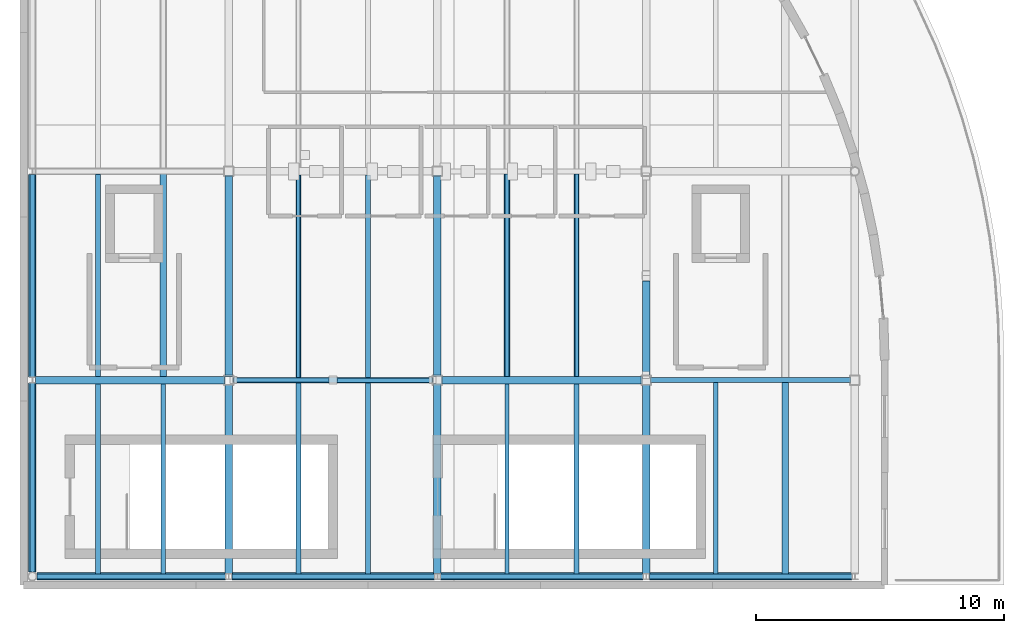
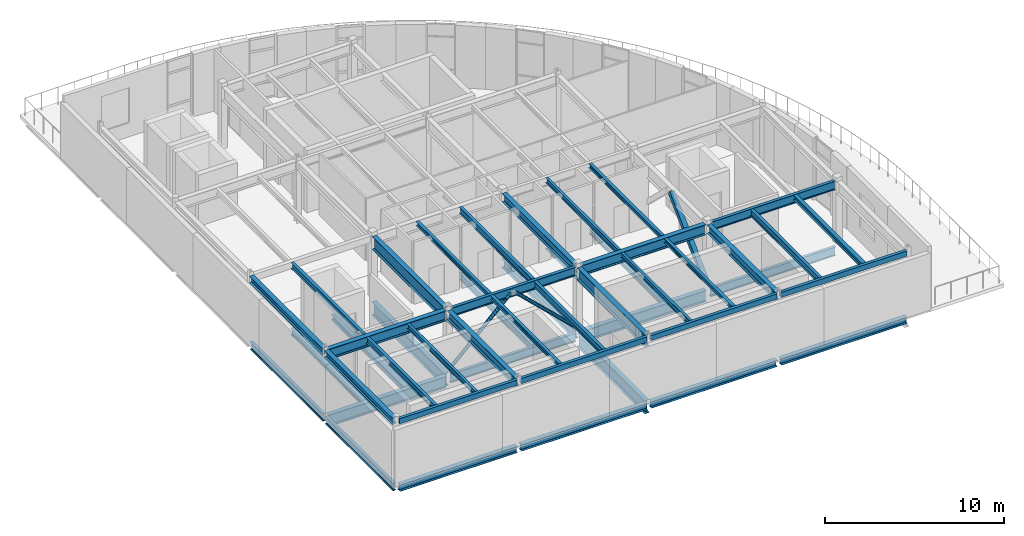
# One storey, part 5 of 26: 47 beams, 3 members.
"""IFC4 building model written with IfcOpenShell, lengths in metres."""

from ifc_helpers import new_model, si_unit, direction, frame, origin, origin_2d, place, context, subcontext, project, spatial, hollow_rectangle, hollow_circle, i_section, extrude, material, material_profile, profile_set, type_object, element, save


model = new_model("IFC4")

# Units and contexts
model_context = context("Model", 3, precision=1e-05, world=origin(), true_north=direction((0.0, 1.0)))
body_context = subcontext(model_context, "Body", "Model", "MODEL_VIEW")
ifc_project = project(units=[si_unit("LENGTHUNIT", "METRE"), si_unit("AREAUNIT", "SQUARE_METRE"), si_unit("VOLUMEUNIT", "CUBIC_METRE"), si_unit("PLANEANGLEUNIT", "RADIAN"), si_unit("MASSUNIT", "GRAM", prefix="KILO"), si_unit("THERMODYNAMICTEMPERATUREUNIT", "KELVIN")], contexts=[model_context])

# Site, building, storey
site_placement = place(None, origin())
site = spatial("IfcSite", under=ifc_project, at=site_placement, CompositionType="ELEMENT")
building_placement = place(site_placement, origin())
building = spatial("IfcBuilding", under=site, at=building_placement, Name="Lustrewick Department Store", CompositionType="ELEMENT")
storey_placement = place(building_placement, frame((0.0, 0.0, 36.300048828125)))
storey = spatial("IfcBuildingStorey", under=building, at=storey_placement, Name="L08", CompositionType="ELEMENT", Elevation=36.300048828125)

# Beams
ifc_material_1 = material(Name="Structural steel Q355B", Category="steel")
ifc_material_profile_1 = material_profile(ifc_material_1, i_section(OverallWidth=0.199951171875, OverallDepth=0.449951171875, WebThickness=0.009033203125, FlangeThickness=0.013916015625, FilletRadius=0.01611328125, at=origin_2d()), Name="HN 450x200x9x14")
ifc_profile_set_1 = profile_set([ifc_material_profile_1], Name="Structural steel Q355B")
beam_type_1 = type_object("IfcBeamType", Name="B03", PredefinedType="JOIST", material=ifc_profile_set_1)
beam_1_placement = place(storey_placement, frame((123.199951171875, 58.89990234375, -0.47998046875), z_axis=(0.0, 1.0, 0.0), x_axis=(-1.0, 0.0, 0.0)))
element("IfcBeam", 1, at=beam_1_placement, inside=storey, type_object=beam_type_1, Name="L08 V4 Secondary Joist B03", PredefinedType="JOIST", context=body_context, shape_type="SweptSolid", body=[
    extrude(i_section(OverallWidth=0.199951171875, OverallDepth=0.449951171875, WebThickness=0.009033203125, FlangeThickness=0.013916015625, FilletRadius=0.01611328125, at=origin_2d()), origin(), (0.0, 0.0, 1.0), 8.150146484375),
])
ifc_material_profile_2 = material_profile(ifc_material_1, i_section(OverallWidth=0.198974609375, OverallDepth=0.446044921875, WebThickness=0.008056640625, FlangeThickness=0.011962890625, FilletRadius=0.01611328125, at=origin_2d()), Name="HN 446x199x8x12")
ifc_profile_set_2 = profile_set([ifc_material_profile_2], Name="Structural steel Q355B")
beam_type_2 = type_object("IfcBeamType", Name="B04", PredefinedType="JOIST", material=ifc_profile_set_2)
beam_2_placement = place(storey_placement, frame((112.333251953125, 58.949951171875, -0.47802734375), z_axis=(0.0, 1.0, 0.0), x_axis=(-1.0, 0.0, 0.0)))
element("IfcBeam", 2, at=beam_2_placement, inside=storey, type_object=beam_type_2, Name="L08 V4 Secondary Joist B04", PredefinedType="JOIST", context=body_context, shape_type="SweptSolid", body=[
    extrude(i_section(OverallWidth=0.198974609375, OverallDepth=0.446044921875, WebThickness=0.008056640625, FlangeThickness=0.011962890625, FilletRadius=0.01611328125, at=origin_2d()), origin(), (0.0, 0.0, 1.0), 8.150634765625),
])
for number, where, z_axis, x_axis, name in (
    (3, (123.199951171875, 51.0, 4.02197265625), (0.0, 1.0, 0.0), (-1.0, 0.0, 0.0), "L08 V4 Secondary Joist B04"),
    (4, (137.199951171875, 51.0, 4.02197265625), (0.0, 1.0, 0.0), (-1.0, 0.0, 0.0), "L08 V4 Secondary Joist B04"),
):
    element("IfcBeam", number, at=place(storey_placement, frame(where, z_axis=z_axis, x_axis=x_axis)), inside=storey, type_object=beam_type_2, Name=name, PredefinedType="JOIST", context=body_context, shape_type="SweptSolid", body=[
        extrude(i_section(OverallWidth=0.198974609375, OverallDepth=0.446044921875, WebThickness=0.008056640625, FlangeThickness=0.011962890625, FilletRadius=0.01611328125, at=origin_2d()), origin(), (0.0, 0.0, 1.0), 7.700439453125),
    ])
beam_3_placement = place(storey_placement, frame((123.199951171875, 58.8994140625, 4.02197265625), z_axis=(0.0, 1.0, 0.0), x_axis=(-1.0, 0.0, 0.0)))
element("IfcBeam", 5, at=beam_3_placement, inside=storey, type_object=beam_type_2, Name="L08 V4 Secondary Joist B04", PredefinedType="JOIST", context=body_context, shape_type="SweptSolid", body=[
    extrude(i_section(OverallWidth=0.198974609375, OverallDepth=0.446044921875, WebThickness=0.008056640625, FlangeThickness=0.011962890625, FilletRadius=0.01611328125, at=origin_2d()), origin(), (0.0, 0.0, 1.0), 8.149658203125),
])
ifc_material_profile_3 = material_profile(ifc_material_1, i_section(OverallWidth=0.199951171875, OverallDepth=0.39990234375, WebThickness=0.008056640625, FlangeThickness=0.012939453125, FilletRadius=0.013916015625, at=origin_2d()), Name="HN 400x200x8x13")
ifc_profile_set_3 = profile_set([ifc_material_profile_3], Name="Structural steel Q355B")
beam_type_3 = type_object("IfcBeamType", Name="B05", PredefinedType="JOIST", material=ifc_profile_set_3)
beam_4_placement = place(storey_placement, frame((112.333251953125, 51.0, 4.044921875), z_axis=(0.0, 1.0, 0.0), x_axis=(-1.0, 0.0, 0.0)))
element("IfcBeam", 6, at=beam_4_placement, inside=storey, type_object=beam_type_3, Name="L08 V4 Secondary Joist B05", PredefinedType="JOIST", context=body_context, shape_type="SweptSolid", body=[
    extrude(i_section(OverallWidth=0.199951171875, OverallDepth=0.39990234375, WebThickness=0.008056640625, FlangeThickness=0.012939453125, FilletRadius=0.013916015625, at=origin_2d()), origin(), (0.0, 0.0, 1.0), 7.64892578125),
])
beam_5_placement = place(storey_placement, frame((112.333251953125, 58.950927734375, 4.044921875), z_axis=(0.0, 1.0, 0.0), x_axis=(-1.0, 0.0, 0.0)))
element("IfcBeam", 7, at=beam_5_placement, inside=storey, type_object=beam_type_3, Name="L08 V4 Secondary Joist B05", PredefinedType="JOIST", context=body_context, shape_type="SweptSolid", body=[
    extrude(i_section(OverallWidth=0.199951171875, OverallDepth=0.39990234375, WebThickness=0.008056640625, FlangeThickness=0.012939453125, FilletRadius=0.013916015625, at=origin_2d()), origin(), (0.0, 0.0, 1.0), 8.1240234375),
])
ifc_material_profile_4 = material_profile(ifc_material_1, i_section(OverallWidth=0.25, OverallDepth=0.340087890625, WebThickness=0.009033203125, FlangeThickness=0.013916015625, FilletRadius=0.01611328125, at=origin_2d()), Name="HM 340x250x9x14")
ifc_profile_set_4 = profile_set([ifc_material_profile_4], Name="Structural steel Q355B")
beam_type_4 = type_object("IfcBeamType", Name="B08", PredefinedType="JOIST", material=ifc_profile_set_4)
beam_6_placement = place(storey_placement, frame((114.966796875, 58.949951171875, -0.425048828125), z_axis=(0.0, 1.0, 0.0), x_axis=(-1.0, 0.0, 0.0)))
element("IfcBeam", 8, at=beam_6_placement, inside=storey, type_object=beam_type_4, Name="L08 V4 Secondary Joist B08", PredefinedType="JOIST", context=body_context, shape_type="SweptSolid", body=[
    extrude(i_section(OverallWidth=0.25, OverallDepth=0.340087890625, WebThickness=0.009033203125, FlangeThickness=0.013916015625, FilletRadius=0.01611328125, at=origin_2d()), origin(), (0.0, 0.0, 1.0), 8.150634765625),
])
beam_7_placement = place(storey_placement, frame((128.800048828125, 58.949951171875, -0.425048828125), z_axis=(0.0, 1.0, 0.0), x_axis=(-1.0, 0.0, 0.0)))
element("IfcBeam", 9, at=beam_7_placement, inside=storey, type_object=beam_type_4, Name="L08 V4 Secondary Joist B08", PredefinedType="JOIST", context=body_context, shape_type="SweptSolid", body=[
    extrude(i_section(OverallWidth=0.25, OverallDepth=0.340087890625, WebThickness=0.009033203125, FlangeThickness=0.013916015625, FilletRadius=0.01611328125, at=origin_2d()), origin(), (0.0, 0.0, 1.0), 8.150146484375),
])
beam_8_placement = place(storey_placement, frame((140.0, 51.0, 4.074951171875), z_axis=(0.0, 1.0, 0.0), x_axis=(-1.0, 0.0, 0.0)))
element("IfcBeam", 10, at=beam_8_placement, inside=storey, type_object=beam_type_4, Name="L08 V4 Secondary Joist B08", PredefinedType="JOIST", context=body_context, shape_type="SweptSolid", body=[
    extrude(i_section(OverallWidth=0.25, OverallDepth=0.340087890625, WebThickness=0.009033203125, FlangeThickness=0.013916015625, FilletRadius=0.01611328125, at=origin_2d()), origin(), (0.0, 0.0, 1.0), 7.700439453125),
])
ifc_material_profile_5 = material_profile(ifc_material_1, i_section(OverallWidth=0.175048828125, OverallDepth=0.35009765625, WebThickness=0.007080078125, FlangeThickness=0.010986328125, FilletRadius=0.012939453125, at=origin_2d()), Name="HN 350x175x7x11")
ifc_profile_set_5 = profile_set([ifc_material_profile_5], Name="Structural steel Q355B")
beam_type_5 = type_object("IfcBeamType", Name="B09", PredefinedType="JOIST", material=ifc_profile_set_5)
for number, where, z_axis, x_axis, name in (
    (11, (114.966796875, 51.0, 4.070068359375), (0.0, 1.0, 0.0), (-1.0, 0.0, 0.0), "L08 V4 Secondary Joist B09"),
    (12, (128.800048828125, 51.0, 4.070068359375), (0.0, 1.0, 0.0), (-1.0, 0.0, 0.0), "L08 V4 Secondary Joist B09"),
):
    element("IfcBeam", number, at=place(storey_placement, frame(where, z_axis=z_axis, x_axis=x_axis)), inside=storey, type_object=beam_type_5, Name=name, PredefinedType="JOIST", context=body_context, shape_type="SweptSolid", body=[
        extrude(i_section(OverallWidth=0.175048828125, OverallDepth=0.35009765625, WebThickness=0.007080078125, FlangeThickness=0.010986328125, FilletRadius=0.012939453125, at=origin_2d()), origin(), (0.0, 0.0, 1.0), 7.64892578125),
    ])
beam_9_placement = place(storey_placement, frame((128.800048828125, 58.950927734375, 4.070068359375), z_axis=(0.0, 1.0, 0.0), x_axis=(-1.0, 0.0, 0.0)))
element("IfcBeam", 13, at=beam_9_placement, inside=storey, type_object=beam_type_5, Name="L08 V4 Secondary Joist B09", PredefinedType="JOIST", context=body_context, shape_type="SweptSolid", body=[
    extrude(i_section(OverallWidth=0.175048828125, OverallDepth=0.35009765625, WebThickness=0.007080078125, FlangeThickness=0.010986328125, FilletRadius=0.012939453125, at=origin_2d()), origin(), (0.0, 0.0, 1.0), 8.149658203125),
])
ifc_material_profile_6 = material_profile(ifc_material_1, i_section(OverallWidth=0.14892578125, OverallDepth=0.298095703125, WebThickness=0.005615234375, FlangeThickness=0.008056640625, FilletRadius=0.011962890625, at=origin_2d()), Name="HN 298x149x5.5x8")
ifc_profile_set_6 = profile_set([ifc_material_profile_6], Name="Structural steel Q355B")
beam_type_6 = type_object("IfcBeamType", Name="B12", PredefinedType="JOIST", material=ifc_profile_set_6)
for number, where, z_axis, x_axis, name in (
    (14, (120.39990234375, 58.89990234375, -0.404052734375), (0.0, 1.0, 0.0), (-1.0, 0.0, 0.0), "L08 V4 Secondary Joist B12"),
    (15, (131.60009765625, 58.949951171875, -0.404052734375), (0.0, 1.0, 0.0), (-1.0, 0.0, 0.0), "L08 V4 Secondary Joist B12"),
):
    element("IfcBeam", number, at=place(storey_placement, frame(where, z_axis=z_axis, x_axis=x_axis)), inside=storey, type_object=beam_type_6, Name=name, PredefinedType="JOIST", context=body_context, shape_type="SweptSolid", body=[
        extrude(i_section(OverallWidth=0.14892578125, OverallDepth=0.298095703125, WebThickness=0.005615234375, FlangeThickness=0.008056640625, FilletRadius=0.011962890625, at=origin_2d()), origin(), (0.0, 0.0, 1.0), 8.150146484375),
    ])
ifc_material_profile_7 = material_profile(ifc_material_1, i_section(OverallWidth=0.199951171875, OverallDepth=0.2939453125, WebThickness=0.008056640625, FlangeThickness=0.011962890625, FilletRadius=0.013916015625, at=origin_2d()), Name="HM 294x200x8x12")
ifc_profile_set_7 = profile_set([ifc_material_profile_7], Name="Structural steel Q355B")
beam_type_7 = type_object("IfcBeamType", Name="B13", PredefinedType="JOIST", material=ifc_profile_set_7)
beam_10_placement = place(storey_placement, frame((120.39990234375, 51.0, 4.097900390625), z_axis=(0.0, 1.0, 0.0), x_axis=(-1.0, 0.0, 0.0)))
element("IfcBeam", 16, at=beam_10_placement, inside=storey, type_object=beam_type_7, Name="L08 V4 Secondary Joist B13", PredefinedType="JOIST", context=body_context, shape_type="SweptSolid", body=[
    extrude(i_section(OverallWidth=0.199951171875, OverallDepth=0.2939453125, WebThickness=0.008056640625, FlangeThickness=0.011962890625, FilletRadius=0.013916015625, at=origin_2d()), origin(), (0.0, 0.0, 1.0), 7.700439453125),
])
beam_11_placement = place(storey_placement, frame((131.60009765625, 51.0, 4.097900390625), z_axis=(0.0, 1.0, 0.0), x_axis=(-1.0, 0.0, 0.0)))
element("IfcBeam", 17, at=beam_11_placement, inside=storey, type_object=beam_type_7, Name="L08 V4 Secondary Joist B13", PredefinedType="JOIST", context=body_context, shape_type="SweptSolid", body=[
    extrude(i_section(OverallWidth=0.199951171875, OverallDepth=0.2939453125, WebThickness=0.008056640625, FlangeThickness=0.011962890625, FilletRadius=0.013916015625, at=origin_2d()), origin(), (0.0, 0.0, 1.0), 7.64892578125),
])
for number, where, z_axis, x_axis, name in (
    (18, (120.39990234375, 58.8994140625, 4.097900390625), (0.0, 1.0, 0.0), (-1.0, 0.0, 0.0), "L08 V4 Secondary Joist B13"),
    (19, (131.60009765625, 58.950927734375, 4.097900390625), (0.0, 1.0, 0.0), (-1.0, 0.0, 0.0), "L08 V4 Secondary Joist B13"),
):
    element("IfcBeam", number, at=place(storey_placement, frame(where, z_axis=z_axis, x_axis=x_axis)), inside=storey, type_object=beam_type_7, Name=name, PredefinedType="JOIST", context=body_context, shape_type="SweptSolid", body=[
        extrude(i_section(OverallWidth=0.199951171875, OverallDepth=0.2939453125, WebThickness=0.008056640625, FlangeThickness=0.011962890625, FilletRadius=0.013916015625, at=origin_2d()), origin(), (0.0, 0.0, 1.0), 8.149658203125),
    ])

# Members
ifc_material_profile_8 = material_profile(ifc_material_1, hollow_circle(Radius=0.109619140625, WallThickness=0.010009765625, at=origin_2d()), Name="CHS 219x10")
ifc_profile_set_8 = profile_set([ifc_material_profile_8], Name="Structural steel Q355B")
member_type_1 = type_object("IfcMemberType", Name="BR05", PredefinedType="BRACE", material=ifc_profile_set_8)
member_1_placement = place(storey_placement, frame((117.800048828125, 58.800048828125, 0.14990234375), z_axis=(0.721275425197, 0.0, 0.692648367505), x_axis=(0.0, 1.0, 0.0)))
element("IfcMember", 20, at=member_1_placement, inside=storey, type_object=member_type_1, Name="L08 V4 Chevron Brace BR05", PredefinedType="BRACE", context=body_context, shape_type="SweptSolid", body=[
    extrude(hollow_circle(Radius=0.109619140625, WallThickness=0.010009765625, at=origin_2d()), origin(), (0.0, 0.0, 1.0), 5.406982421875),
])
member_2_placement = place(storey_placement, frame((125.800048828125, 58.800048828125, 0.14990234375), z_axis=(-0.721297086864, 0.0, 0.692625809858), x_axis=(0.0, -1.0, 0.0)))
element("IfcMember", 21, at=member_2_placement, inside=storey, type_object=member_type_1, Name="L08 V4 Chevron Brace BR05", PredefinedType="BRACE", context=body_context, shape_type="SweptSolid", body=[
    extrude(hollow_circle(Radius=0.109619140625, WallThickness=0.010009765625, at=origin_2d()), origin(), (0.0, 0.0, 1.0), 5.4072265625),
])
ifc_material_2 = material(Name="Structural steel Q355C", Category="steel")
ifc_material_profile_9 = material_profile(ifc_material_2, hollow_rectangle(XDim=0.300048828125, YDim=0.300048828125, WallThickness=0.011962890625, at=origin_2d()), Name="SHS 300x300x12")
ifc_profile_set_9 = profile_set([ifc_material_profile_9], Name="Structural steel Q355C")
member_type_2 = type_object("IfcMemberType", Name="BR06", PredefinedType="BRACE", material=ifc_profile_set_9)
member_3_placement = place(storey_placement, frame((134.39990234375, 59.0, 0.14990234375), z_axis=(0.0, 0.721275425197, 0.692648367505), x_axis=(-1.0, 0.0, 0.0)))
element("IfcMember", 22, at=member_3_placement, inside=storey, type_object=member_type_2, Name="L08 V4 Chevron Brace BR06", PredefinedType="BRACE", context=body_context, shape_type="SweptSolid", body=[
    extrude(hollow_rectangle(XDim=0.300048828125, YDim=0.300048828125, WallThickness=0.011962890625, at=origin_2d()), origin(), (0.0, 0.0, 1.0), 5.406982421875),
])

# Beams
ifc_material_profile_10 = material_profile(ifc_material_2, i_section(OverallWidth=0.300048828125, OverallDepth=0.89990234375, WebThickness=0.01611328125, FlangeThickness=0.028076171875, FilletRadius=0.02392578125, at=origin_2d()), Name="HN 900x300x16x28")
ifc_profile_set_10 = profile_set([ifc_material_profile_10], Name="Structural steel Q355C")
beam_type_8 = type_object("IfcBeamType", Name="G02", PredefinedType="BEAM", material=ifc_profile_set_10)
beam_12_placement = place(storey_placement, frame((117.60009765625, 58.947021484375, -0.705078125), z_axis=(0.0, 1.0, 0.0), x_axis=(-1.0, 0.0, 0.0)))
element("IfcBeam", 23, at=beam_12_placement, inside=storey, type_object=beam_type_8, Name="L08 V4 Girder G02", PredefinedType="BEAM", context=body_context, shape_type="SweptSolid", body=[
    extrude(i_section(OverallWidth=0.300048828125, OverallDepth=0.89990234375, WebThickness=0.01611328125, FlangeThickness=0.028076171875, FilletRadius=0.02392578125, at=origin_2d()), origin(), (0.0, 0.0, 1.0), 8.10595703125),
])
ifc_material_profile_11 = material_profile(ifc_material_2, i_section(OverallWidth=0.299072265625, OverallDepth=0.889892578125, WebThickness=0.014892578125, FlangeThickness=0.02294921875, FilletRadius=0.02392578125, at=origin_2d()), Name="HN 890x299x15x23")
ifc_profile_set_11 = profile_set([ifc_material_profile_11], Name="Structural steel Q355C")
beam_type_9 = type_object("IfcBeamType", Name="G03", PredefinedType="BEAM", material=ifc_profile_set_11)
beam_13_placement = place(storey_placement, frame((126.0, 51.02490234375, -0.699951171875), z_axis=(0.0, 1.0, 0.0), x_axis=(-1.0, 0.0, 0.0)))
element("IfcBeam", 24, at=beam_13_placement, inside=storey, type_object=beam_type_9, Name="L08 V4 Girder G03", PredefinedType="BEAM", context=body_context, shape_type="SweptSolid", body=[
    extrude(i_section(OverallWidth=0.299072265625, OverallDepth=0.889892578125, WebThickness=0.014892578125, FlangeThickness=0.02294921875, FilletRadius=0.02392578125, at=origin_2d()), origin(), (0.0, 0.0, 1.0), 7.628173828125),
])
beam_14_placement = place(storey_placement, frame((117.60009765625, 59.0, 3.800048828125), z_axis=(0.0, 1.0, 0.0), x_axis=(-1.0, 0.0, 0.0)))
element("IfcBeam", 25, at=beam_14_placement, inside=storey, type_object=beam_type_9, Name="L08 V4 Girder G03", PredefinedType="BEAM", context=body_context, shape_type="SweptSolid", body=[
    extrude(i_section(OverallWidth=0.299072265625, OverallDepth=0.889892578125, WebThickness=0.014892578125, FlangeThickness=0.02294921875, FilletRadius=0.02392578125, at=origin_2d()), origin(), (0.0, 0.0, 1.0), 8.0),
])
ifc_material_profile_12 = material_profile(ifc_material_2, i_section(OverallWidth=0.302001953125, OverallDepth=0.80810546875, WebThickness=0.01611328125, FlangeThickness=0.030029296875, FilletRadius=0.02197265625, at=origin_2d()), Name="HN 808x302x16x30")
ifc_profile_set_12 = profile_set([ifc_material_profile_12], Name="Structural steel Q355C")
beam_type_10 = type_object("IfcBeamType", Name="G04", PredefinedType="BEAM", material=ifc_profile_set_12)
beam_15_placement = place(storey_placement, frame((126.0, 51.02490234375, 3.841064453125), z_axis=(0.0, 1.0, 0.0), x_axis=(-1.0, 0.0, 0.0)))
element("IfcBeam", 26, at=beam_15_placement, inside=storey, type_object=beam_type_10, Name="L08 V4 Girder G04", PredefinedType="BEAM", context=body_context, shape_type="SweptSolid", body=[
    extrude(i_section(OverallWidth=0.302001953125, OverallDepth=0.80810546875, WebThickness=0.01611328125, FlangeThickness=0.030029296875, FilletRadius=0.02197265625, at=origin_2d()), origin(), (0.0, 0.0, 1.0), 7.5751953125),
])
ifc_material_profile_13 = material_profile(ifc_material_1, i_section(OverallWidth=0.300048828125, OverallDepth=0.7919921875, WebThickness=0.013916015625, FlangeThickness=0.02197265625, FilletRadius=0.02197265625, at=origin_2d()), Name="HN 792x300x14x22")
ifc_profile_set_13 = profile_set([ifc_material_profile_13], Name="Structural steel Q355B")
beam_type_11 = type_object("IfcBeamType", Name="G06", PredefinedType="BEAM", material=ifc_profile_set_13)
beam_16_placement = place(storey_placement, frame((109.824951171875, 58.800048828125, -0.651123046875), z_axis=(1.0, 0.0, 0.0), x_axis=(0.0, 1.0, 0.0)))
element("IfcBeam", 27, at=beam_16_placement, inside=storey, type_object=beam_type_11, Name="L08 V4 Girder G06", PredefinedType="BEAM", context=body_context, shape_type="SweptSolid", body=[
    extrude(i_section(OverallWidth=0.300048828125, OverallDepth=0.7919921875, WebThickness=0.013916015625, FlangeThickness=0.02197265625, FilletRadius=0.02197265625, at=origin_2d()), origin(), (0.0, 0.0, 1.0), 7.6240234375),
])
beam_17_placement = place(storey_placement, frame((126.15087890625, 58.800048828125, -0.651123046875), z_axis=(1.0, 0.0, 0.0), x_axis=(0.0, 1.0, 0.0)))
element("IfcBeam", 28, at=beam_17_placement, inside=storey, type_object=beam_type_11, Name="L08 V4 Girder G06", PredefinedType="BEAM", context=body_context, shape_type="SweptSolid", body=[
    extrude(i_section(OverallWidth=0.300048828125, OverallDepth=0.7919921875, WebThickness=0.013916015625, FlangeThickness=0.02197265625, FilletRadius=0.02197265625, at=origin_2d()), origin(), (0.0, 0.0, 1.0), 8.09814453125),
])
ifc_material_profile_14 = material_profile(ifc_material_2, i_section(OverallWidth=0.302001953125, OverallDepth=0.7080078125, WebThickness=0.014892578125, FlangeThickness=0.028076171875, FilletRadius=0.02001953125, at=origin_2d()), Name="HN 708x302x15x28")
ifc_profile_set_14 = profile_set([ifc_material_profile_14], Name="Structural steel Q355C")
beam_type_12 = type_object("IfcBeamType", Name="G07", PredefinedType="BEAM", material=ifc_profile_set_14)
beam_18_placement = place(storey_placement, frame((109.824951171875, 58.800048828125, 3.890869140625), z_axis=(1.0, 0.0, 0.0), x_axis=(0.0, 1.0, 0.0)))
element("IfcBeam", 29, at=beam_18_placement, inside=storey, type_object=beam_type_12, Name="L08 V4 Girder G07", PredefinedType="BEAM", context=body_context, shape_type="SweptSolid", body=[
    extrude(i_section(OverallWidth=0.302001953125, OverallDepth=0.7080078125, WebThickness=0.014892578125, FlangeThickness=0.028076171875, FilletRadius=0.02001953125, at=origin_2d()), origin(), (0.0, 0.0, 1.0), 7.574951171875),
])
beam_19_placement = place(storey_placement, frame((126.199951171875, 58.800048828125, 3.890869140625), z_axis=(1.0, 0.0, 0.0), x_axis=(0.0, 1.0, 0.0)))
element("IfcBeam", 30, at=beam_19_placement, inside=storey, type_object=beam_type_12, Name="L08 V4 Girder G07", PredefinedType="BEAM", context=body_context, shape_type="SweptSolid", body=[
    extrude(i_section(OverallWidth=0.302001953125, OverallDepth=0.7080078125, WebThickness=0.014892578125, FlangeThickness=0.028076171875, FilletRadius=0.02001953125, at=origin_2d()), origin(), (0.0, 0.0, 1.0), 8.0),
])
ifc_material_profile_15 = material_profile(ifc_material_1, i_section(OverallWidth=0.300048828125, OverallDepth=0.587890625, WebThickness=0.011962890625, FlangeThickness=0.02001953125, FilletRadius=0.02392578125, at=origin_2d()), Name="HM 588x300x12x20")
ifc_profile_set_15 = profile_set([ifc_material_profile_15], Name="Structural steel Q355B")
beam_type_13 = type_object("IfcBeamType", Name="G11", PredefinedType="BEAM", material=ifc_profile_set_15)
beam_20_placement = place(storey_placement, frame((126.0, 58.947021484375, -0.549072265625), z_axis=(0.0, 1.0, 0.0), x_axis=(-1.0, 0.0, 0.0)))
element("IfcBeam", 31, at=beam_20_placement, inside=storey, type_object=beam_type_13, Name="L08 V4 Girder G11", PredefinedType="BEAM", context=body_context, shape_type="SweptSolid", body=[
    extrude(i_section(OverallWidth=0.300048828125, OverallDepth=0.587890625, WebThickness=0.011962890625, FlangeThickness=0.02001953125, FilletRadius=0.02392578125, at=origin_2d()), origin(), (0.0, 0.0, 1.0), 8.10595703125),
])
ifc_material_profile_16 = material_profile(ifc_material_1, i_section(OverallWidth=0.300048828125, OverallDepth=0.58203125, WebThickness=0.011962890625, FlangeThickness=0.01708984375, FilletRadius=0.02392578125, at=origin_2d()), Name="HM 582x300x12x17")
ifc_profile_set_16 = profile_set([ifc_material_profile_16], Name="Structural steel Q355B")
beam_type_14 = type_object("IfcBeamType", Name="G12", PredefinedType="BEAM", material=ifc_profile_set_16)
beam_21_placement = place(storey_placement, frame((117.60009765625, 51.02490234375, 3.953857421875), z_axis=(0.0, 1.0, 0.0), x_axis=(-1.0, 0.0, 0.0)))
element("IfcBeam", 32, at=beam_21_placement, inside=storey, type_object=beam_type_14, Name="L08 V4 Girder G12", PredefinedType="BEAM", context=body_context, shape_type="SweptSolid", body=[
    extrude(i_section(OverallWidth=0.300048828125, OverallDepth=0.58203125, WebThickness=0.011962890625, FlangeThickness=0.01708984375, FilletRadius=0.02392578125, at=origin_2d()), origin(), (0.0, 0.0, 1.0), 7.5751953125),
])
beam_22_placement = place(storey_placement, frame((126.0, 59.0, 3.953857421875), z_axis=(0.0, 1.0, 0.0), x_axis=(-1.0, 0.0, 0.0)))
element("IfcBeam", 33, at=beam_22_placement, inside=storey, type_object=beam_type_14, Name="L08 V4 Girder G12", PredefinedType="BEAM", context=body_context, shape_type="SweptSolid", body=[
    extrude(i_section(OverallWidth=0.300048828125, OverallDepth=0.58203125, WebThickness=0.011962890625, FlangeThickness=0.01708984375, FilletRadius=0.02392578125, at=origin_2d()), origin(), (0.0, 0.0, 1.0), 8.0),
])
beam_23_placement = place(storey_placement, frame((134.39990234375, 51.02490234375, 3.953857421875), z_axis=(0.0, 1.0, 0.0), x_axis=(-1.0, 0.0, 0.0)))
element("IfcBeam", 34, at=beam_23_placement, inside=storey, type_object=beam_type_14, Name="L08 V4 Girder G12", PredefinedType="BEAM", context=body_context, shape_type="SweptSolid", body=[
    extrude(i_section(OverallWidth=0.300048828125, OverallDepth=0.58203125, WebThickness=0.011962890625, FlangeThickness=0.01708984375, FilletRadius=0.02392578125, at=origin_2d()), origin(), (0.0, 0.0, 1.0), 7.5751953125),
])
ifc_material_profile_17 = material_profile(ifc_material_1, i_section(OverallWidth=0.199951171875, OverallDepth=0.60009765625, WebThickness=0.010986328125, FlangeThickness=0.01708984375, FilletRadius=0.01806640625, at=origin_2d()), Name="HN 600x200x11x17")
ifc_profile_set_17 = profile_set([ifc_material_profile_17], Name="Structural steel Q355B")
beam_type_15 = type_object("IfcBeamType", Name="G14", PredefinedType="BEAM", material=ifc_profile_set_17)
beam_24_placement = place(storey_placement, frame((117.7509765625, 58.800048828125, -0.554931640625), z_axis=(1.0, 0.0, 0.0), x_axis=(0.0, 1.0, 0.0)))
element("IfcBeam", 35, at=beam_24_placement, inside=storey, type_object=beam_type_15, Name="L08 V4 Girder G14", PredefinedType="BEAM", context=body_context, shape_type="SweptSolid", body=[
    extrude(i_section(OverallWidth=0.199951171875, OverallDepth=0.60009765625, WebThickness=0.010986328125, FlangeThickness=0.01708984375, FilletRadius=0.01806640625, at=origin_2d()), origin(), (0.0, 0.0, 1.0), 8.09814453125),
])
beam_25_placement = place(storey_placement, frame((134.551025390625, 58.800048828125, -0.554931640625), z_axis=(1.0, 0.0, 0.0), x_axis=(0.0, 1.0, 0.0)))
element("IfcBeam", 36, at=beam_25_placement, inside=storey, type_object=beam_type_15, Name="L08 V4 Girder G14", PredefinedType="BEAM", context=body_context, shape_type="SweptSolid", body=[
    extrude(i_section(OverallWidth=0.199951171875, OverallDepth=0.60009765625, WebThickness=0.010986328125, FlangeThickness=0.01708984375, FilletRadius=0.01806640625, at=origin_2d()), origin(), (0.0, 0.0, 1.0), 8.097900390625),
])
ifc_material_profile_18 = material_profile(ifc_material_1, i_section(OverallWidth=0.198974609375, OverallDepth=0.595947265625, WebThickness=0.010009765625, FlangeThickness=0.014892578125, FilletRadius=0.01806640625, at=origin_2d()), Name="HN 596x199x10x15")
ifc_profile_set_18 = profile_set([ifc_material_profile_18], Name="Structural steel Q355B")
beam_type_16 = type_object("IfcBeamType", Name="G15", PredefinedType="BEAM", material=ifc_profile_set_18)
for number, where, z_axis, x_axis, name in (
    (37, (117.800048828125, 58.800048828125, 3.947021484375), (1.0, 0.0, 0.0), (0.0, 1.0, 0.0), "L08 V4 Girder G15"),
    (38, (134.60009765625, 58.800048828125, 3.947021484375), (1.0, 0.0, 0.0), (0.0, 1.0, 0.0), "L08 V4 Girder G15"),
):
    element("IfcBeam", number, at=place(storey_placement, frame(where, z_axis=z_axis, x_axis=x_axis)), inside=storey, type_object=beam_type_16, Name=name, PredefinedType="BEAM", context=body_context, shape_type="SweptSolid", body=[
        extrude(i_section(OverallWidth=0.198974609375, OverallDepth=0.595947265625, WebThickness=0.010009765625, FlangeThickness=0.014892578125, FilletRadius=0.01806640625, at=origin_2d()), origin(), (0.0, 0.0, 1.0), 8.0),
    ])
ifc_material_profile_19 = material_profile(ifc_material_1, i_section(OverallWidth=0.200927734375, OverallDepth=0.506103515625, WebThickness=0.010986328125, FlangeThickness=0.01904296875, FilletRadius=0.01611328125, at=origin_2d()), Name="HN 506x201x11x19")
ifc_profile_set_19 = profile_set([ifc_material_profile_19], Name="Structural steel Q355B")
beam_type_17 = type_object("IfcBeamType", Name="SP01", PredefinedType="SPANDREL", material=ifc_profile_set_19)
beam_26_placement = place(storey_placement, frame((109.699951171875, 51.077880859375, -0.508056640625), z_axis=(0.0, 1.0, 0.0), x_axis=(-1.0, 0.0, 0.0)))
element("IfcBeam", 39, at=beam_26_placement, inside=storey, type_object=beam_type_17, Name="L08 V4 Girder SP01", PredefinedType="SPANDREL", context=body_context, shape_type="SweptSolid", body=[
    extrude(i_section(OverallWidth=0.200927734375, OverallDepth=0.506103515625, WebThickness=0.010986328125, FlangeThickness=0.01904296875, FilletRadius=0.01611328125, at=origin_2d()), origin(), (0.0, 0.0, 1.0), 7.59716796875),
])
beam_27_placement = place(storey_placement, frame((109.699951171875, 58.925048828125, -0.508056640625), z_axis=(0.0, 1.0, 0.0), x_axis=(-1.0, 0.0, 0.0)))
element("IfcBeam", 40, at=beam_27_placement, inside=storey, type_object=beam_type_17, Name="L08 V4 Girder SP01", PredefinedType="SPANDREL", context=body_context, shape_type="SweptSolid", body=[
    extrude(i_section(OverallWidth=0.200927734375, OverallDepth=0.506103515625, WebThickness=0.010986328125, FlangeThickness=0.01904296875, FilletRadius=0.01611328125, at=origin_2d()), origin(), (0.0, 0.0, 1.0), 8.14990234375),
])
ifc_material_profile_20 = material_profile(ifc_material_1, i_section(OverallWidth=0.300048828125, OverallDepth=0.43994140625, WebThickness=0.010986328125, FlangeThickness=0.01806640625, FilletRadius=0.02001953125, at=origin_2d()), Name="HM 440x300x11x18")
ifc_profile_set_20 = profile_set([ifc_material_profile_20], Name="Structural steel Q355B")
beam_type_18 = type_object("IfcBeamType", Name="SP02", PredefinedType="SPANDREL", material=ifc_profile_set_20)
beam_28_placement = place(storey_placement, frame((109.8779296875, 50.89990234375, -0.47509765625), z_axis=(1.0, 0.0, 0.0), x_axis=(0.0, 1.0, 0.0)))
element("IfcBeam", 41, at=beam_28_placement, inside=storey, type_object=beam_type_18, Name="L08 V4 Girder SP02", PredefinedType="SPANDREL", context=body_context, shape_type="SweptSolid", body=[
    extrude(i_section(OverallWidth=0.300048828125, OverallDepth=0.43994140625, WebThickness=0.010986328125, FlangeThickness=0.01806640625, FilletRadius=0.02001953125, at=origin_2d()), origin(), (0.0, 0.0, 1.0), 7.59716796875),
])
for number, where, z_axis, x_axis, name in (
    (42, (117.72509765625, 50.89990234375, -0.47509765625), (1.0, 0.0, 0.0), (0.0, 1.0, 0.0), "L08 V4 Girder SP02"),
    (43, (126.125, 50.89990234375, -0.47509765625), (1.0, 0.0, 0.0), (0.0, 1.0, 0.0), "L08 V4 Girder SP02"),
):
    element("IfcBeam", number, at=place(storey_placement, frame(where, z_axis=z_axis, x_axis=x_axis)), inside=storey, type_object=beam_type_18, Name=name, PredefinedType="SPANDREL", context=body_context, shape_type="SweptSolid", body=[
        extrude(i_section(OverallWidth=0.300048828125, OverallDepth=0.43994140625, WebThickness=0.010986328125, FlangeThickness=0.01806640625, FilletRadius=0.02001953125, at=origin_2d()), origin(), (0.0, 0.0, 1.0), 8.14990234375),
    ])
beam_29_placement = place(storey_placement, frame((134.52490234375, 50.89990234375, -0.47509765625), z_axis=(1.0, 0.0, 0.0), x_axis=(0.0, 1.0, 0.0)))
element("IfcBeam", 44, at=beam_29_placement, inside=storey, type_object=beam_type_18, Name="L08 V4 Girder SP02", PredefinedType="SPANDREL", context=body_context, shape_type="SweptSolid", body=[
    extrude(i_section(OverallWidth=0.300048828125, OverallDepth=0.43994140625, WebThickness=0.010986328125, FlangeThickness=0.01806640625, FilletRadius=0.02001953125, at=origin_2d()), origin(), (0.0, 0.0, 1.0), 8.150146484375),
])
beam_30_placement = place(storey_placement, frame((109.699951171875, 51.077880859375, 4.02490234375), z_axis=(0.0, 1.0, 0.0), x_axis=(-1.0, 0.0, 0.0)))
element("IfcBeam", 45, at=beam_30_placement, inside=storey, type_object=beam_type_18, Name="L08 V4 Girder SP02", PredefinedType="SPANDREL", context=body_context, shape_type="SweptSolid", body=[
    extrude(i_section(OverallWidth=0.300048828125, OverallDepth=0.43994140625, WebThickness=0.010986328125, FlangeThickness=0.01806640625, FilletRadius=0.02001953125, at=origin_2d()), origin(), (0.0, 0.0, 1.0), 7.59716796875),
])
beam_31_placement = place(storey_placement, frame((109.699951171875, 58.925048828125, 4.02490234375), z_axis=(0.0, 1.0, 0.0), x_axis=(-1.0, 0.0, 0.0)))
element("IfcBeam", 46, at=beam_31_placement, inside=storey, type_object=beam_type_18, Name="L08 V4 Girder SP02", PredefinedType="SPANDREL", context=body_context, shape_type="SweptSolid", body=[
    extrude(i_section(OverallWidth=0.300048828125, OverallDepth=0.43994140625, WebThickness=0.010986328125, FlangeThickness=0.01806640625, FilletRadius=0.02001953125, at=origin_2d()), origin(), (0.0, 0.0, 1.0), 8.14990234375),
])
ifc_material_profile_21 = material_profile(ifc_material_2, hollow_rectangle(XDim=0.199951171875, YDim=0.35009765625, WallThickness=0.011962890625, at=origin_2d()), Name="RHS 350x200x12")
ifc_profile_set_21 = profile_set([ifc_material_profile_21], Name="Structural steel Q355C")
beam_type_19 = type_object("IfcBeamType", Name="SP03", PredefinedType="SPANDREL", material=ifc_profile_set_21)
beam_32_placement = place(storey_placement, frame((109.8779296875, 50.89990234375, 4.070068359375), z_axis=(1.0, 0.0, 0.0), x_axis=(0.0, 1.0, 0.0)))
element("IfcBeam", 47, at=beam_32_placement, inside=storey, type_object=beam_type_19, Name="L08 V4 Girder SP03", PredefinedType="SPANDREL", context=body_context, shape_type="SweptSolid", body=[
    extrude(hollow_rectangle(XDim=0.199951171875, YDim=0.35009765625, WallThickness=0.011962890625, at=origin_2d()), origin(), (0.0, 0.0, 1.0), 7.59716796875),
])
for number, where, z_axis, x_axis, name in (
    (48, (117.72509765625, 50.89990234375, 4.070068359375), (1.0, 0.0, 0.0), (0.0, 1.0, 0.0), "L08 V4 Girder SP03"),
    (49, (126.125, 50.89990234375, 4.070068359375), (1.0, 0.0, 0.0), (0.0, 1.0, 0.0), "L08 V4 Girder SP03"),
):
    element("IfcBeam", number, at=place(storey_placement, frame(where, z_axis=z_axis, x_axis=x_axis)), inside=storey, type_object=beam_type_19, Name=name, PredefinedType="SPANDREL", context=body_context, shape_type="SweptSolid", body=[
        extrude(hollow_rectangle(XDim=0.199951171875, YDim=0.35009765625, WallThickness=0.011962890625, at=origin_2d()), origin(), (0.0, 0.0, 1.0), 8.14990234375),
    ])
beam_33_placement = place(storey_placement, frame((134.52490234375, 50.89990234375, 4.070068359375), z_axis=(1.0, 0.0, 0.0), x_axis=(0.0, 1.0, 0.0)))
element("IfcBeam", 50, at=beam_33_placement, inside=storey, type_object=beam_type_19, Name="L08 V4 Girder SP03", PredefinedType="SPANDREL", context=body_context, shape_type="SweptSolid", body=[
    extrude(hollow_rectangle(XDim=0.199951171875, YDim=0.35009765625, WallThickness=0.011962890625, at=origin_2d()), origin(), (0.0, 0.0, 1.0), 8.150146484375),
])

save(model, "model.ifc")
